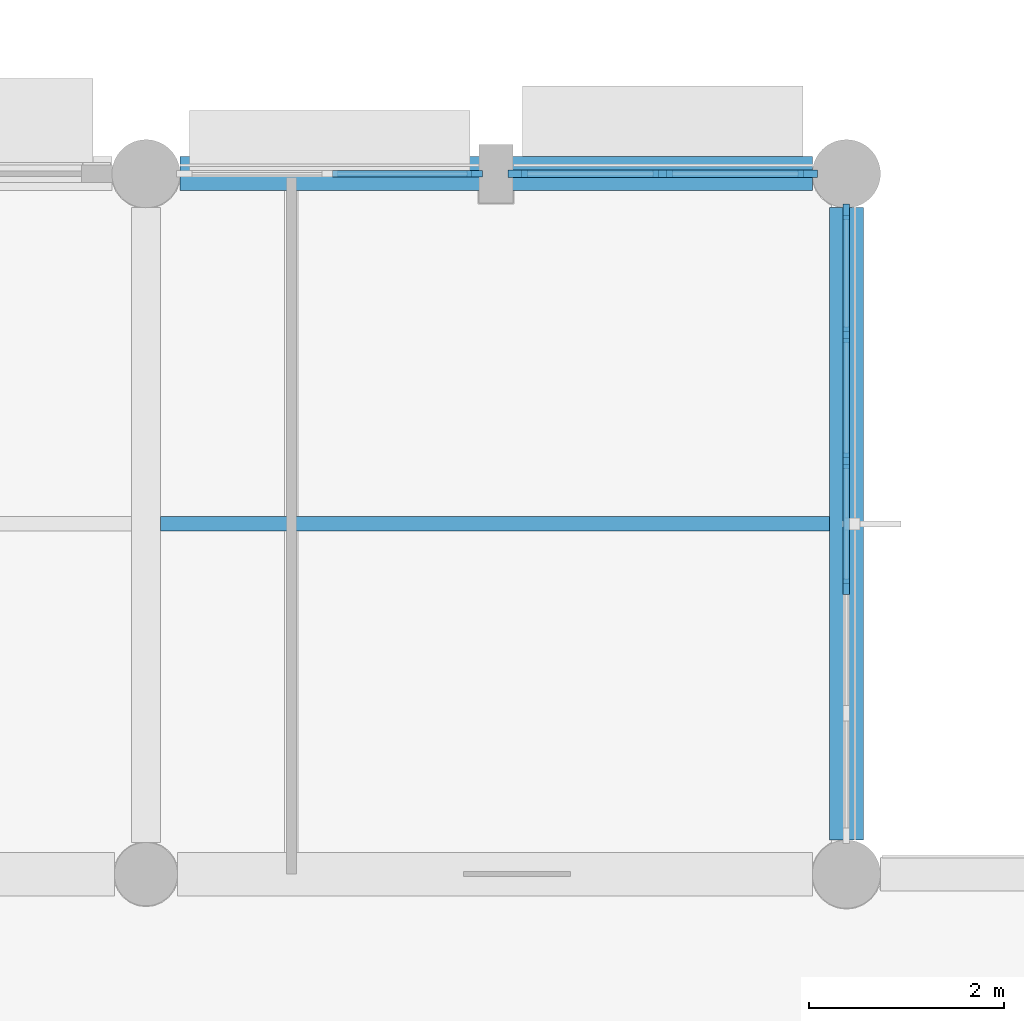
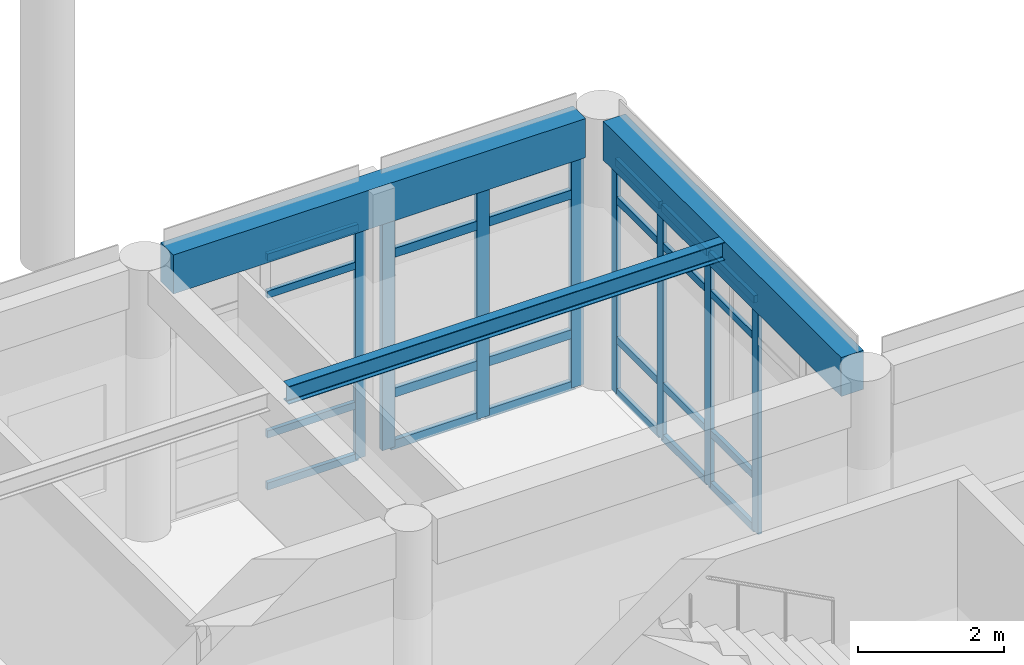
# One storey, part 28 of 92: 32 members, 3 beams, 3 elements without a shape of their own.
"""IFC4 building model written with IfcOpenShell, lengths in metres."""

from ifc_helpers import new_model, si_unit, direction, frame, origin, origin_2d, place, context, subcontext, project, spatial, rectangle, i_section, extrude, material, layer, layer_set, material_profile, profile_set, type_object, element, aggregate, save


model = new_model("IFC4")

# Units and contexts
model_context = context("Model", 3, precision=1e-05, world=origin(), true_north=direction((0.0, 1.0)))
body_context = subcontext(model_context, "Body", "Model", "MODEL_VIEW")
ifc_project = project(units=[si_unit("LENGTHUNIT", "METRE"), si_unit("AREAUNIT", "SQUARE_METRE"), si_unit("VOLUMEUNIT", "CUBIC_METRE"), si_unit("PLANEANGLEUNIT", "RADIAN"), si_unit("MASSUNIT", "GRAM", prefix="KILO")], contexts=[model_context])

# Site, building, storey
site_placement = place(None, origin())
site = spatial("IfcSite", under=ifc_project, at=site_placement, CompositionType="ELEMENT")
building_placement = place(site_placement, origin())
building = spatial("IfcBuilding", under=site, at=building_placement, Name="Namkhue Oval Health Centre", CompositionType="ELEMENT")
storey_placement = place(building_placement, frame((0.0, 0.0, 4.800048828125)))
storey = spatial("IfcBuildingStorey", under=building, at=storey_placement, Name="L01", CompositionType="ELEMENT", Elevation=4.800048828125)

# Curtain wall, members
ifc_material_1 = material(Name="Anodised aluminium EN AW-6063 T6", Category="aluminium")
ifc_layer_1 = layer(ifc_material_1, 0.159912109375)
ifc_layer_set_1 = layer_set([ifc_layer_1], Name="Anodised aluminium EN AW-6063 T6")
curtain_wall_type_1 = type_object("IfcCurtainWallType", Name="UNITISED CURTAIN WALL M1200", PredefinedType="NOTDEFINED", material=ifc_layer_set_1)
curtain_wall_1_placement = place(storey_placement, origin())
curtain_wall_1 = element("IfcCurtainWall", 1, at=curtain_wall_1_placement, inside=storey, type_object=curtain_wall_type_1, Name="Volume V3 L01 Unitised Curtain Wall 103", PredefinedType="NOTDEFINED")
ifc_material_profile_1 = material_profile(ifc_material_1, rectangle(XDim=0.06494140625, YDim=0.159912109375, at=origin_2d()), Name="ALU 65x160")
ifc_profile_set_1 = profile_set([ifc_material_profile_1], Name="Anodised aluminium EN AW-6063 T6")
member_type_1 = type_object("IfcMemberType", Name="CURTAIN WALL MULLION 65X160", PredefinedType="MULLION", material=ifc_profile_set_1)
member_1_placement = place(storey_placement, frame((122.39990234375, 100.152099609375, 0.0), z_axis=(0.0, 0.0, 1.0), x_axis=(-1.0, 0.0, 0.0)))
member_1 = element("IfcMember", 2, at=member_1_placement, type_object=member_type_1, Name="CW-01 mullion 3", PredefinedType="MULLION", context=body_context, shape_type="SweptSolid", body=[
    extrude(rectangle(XDim=0.06494140625, YDim=0.159912109375, at=origin_2d()), origin(), (0.0, 0.0, 1.0), 3.8798828125),
])
member_2_placement = place(storey_placement, frame((122.39990234375, 101.447998046875, 0.0), z_axis=(0.0, 0.0, 1.0), x_axis=(-1.0, 0.0, 0.0)))
member_2 = element("IfcMember", 3, at=member_2_placement, type_object=member_type_1, Name="CW-01 mullion 4", PredefinedType="MULLION", context=body_context, shape_type="SweptSolid", body=[
    extrude(rectangle(XDim=0.06494140625, YDim=0.159912109375, at=origin_2d()), origin(), (0.0, 0.0, 1.0), 3.8798828125),
])
member_3_placement = place(storey_placement, frame((122.39990234375, 102.743896484375, 0.0), z_axis=(0.0, 0.0, 1.0), x_axis=(-1.0, 0.0, 0.0)))
member_3 = element("IfcMember", 4, at=member_3_placement, type_object=member_type_1, Name="CW-01 mullion 5", PredefinedType="MULLION", context=body_context, shape_type="SweptSolid", body=[
    extrude(rectangle(XDim=0.06494140625, YDim=0.159912109375, at=origin_2d()), origin(), (0.0, 0.0, 1.0), 3.8798828125),
])
member_4_placement = place(storey_placement, frame((122.39990234375, 104.007568359375, 0.0), z_axis=(0.0, 0.0, 1.0), x_axis=(-1.0, 0.0, 0.0)))
member_4 = element("IfcMember", 5, at=member_4_placement, type_object=member_type_1, Name="CW-01 mullion 6", PredefinedType="MULLION", context=body_context, shape_type="SweptSolid", body=[
    extrude(rectangle(XDim=0.06494140625, YDim=0.159912109375, at=origin_2d()), origin(), (0.0, 0.0, 1.0), 3.8798828125),
])

# Curtain wall, member
ifc_layer_2 = layer(ifc_material_1, 0.159912109375)
ifc_layer_set_2 = layer_set([ifc_layer_2], Name="Anodised aluminium EN AW-6063 T6")
curtain_wall_type_2 = type_object("IfcCurtainWallType", Name="UNITISED CURTAIN WALL M1500", PredefinedType="NOTDEFINED", material=ifc_layer_set_2)
curtain_wall_2_placement = place(storey_placement, origin())
curtain_wall_2 = element("IfcCurtainWall", 6, at=curtain_wall_2_placement, inside=storey, type_object=curtain_wall_type_2, Name="Volume V3 L01 Unitised Curtain Wall 105", PredefinedType="NOTDEFINED")
member_5_placement = place(storey_placement, frame((118.58154296875, 104.39990234375, 0.0), z_axis=(0.0, 0.0, 1.0), x_axis=(0.0, -1.0, 0.0)))
member_5 = element("IfcMember", 7, at=member_5_placement, type_object=member_type_1, Name="CW-03 mullion 1", PredefinedType="MULLION", context=body_context, shape_type="SweptSolid", body=[
    extrude(rectangle(XDim=0.06494140625, YDim=0.159912109375, at=origin_2d()), origin(), (0.0, 0.0, 1.0), 3.8798828125),
])

# Curtain wall, members
ifc_layer_3 = layer(ifc_material_1, 0.159912109375)
ifc_layer_set_3 = layer_set([ifc_layer_3], Name="Anodised aluminium EN AW-6063 T6")
curtain_wall_type_3 = type_object("IfcCurtainWallType", Name="UNITISED CURTAIN WALL M1350", PredefinedType="NOTDEFINED", material=ifc_layer_set_3)
curtain_wall_3_placement = place(storey_placement, origin())
curtain_wall_3 = element("IfcCurtainWall", 8, at=curtain_wall_3_placement, inside=storey, type_object=curtain_wall_type_3, Name="Volume V3 L01 Unitised Curtain Wall 104", PredefinedType="NOTDEFINED")
ifc_material_profile_2 = material_profile(ifc_material_1, rectangle(XDim=0.074951171875, YDim=0.199951171875, at=origin_2d()), Name="ALU 75x200")
ifc_profile_set_2 = profile_set([ifc_material_profile_2], Name="Anodised aluminium EN AW-6063 T6")
member_type_2 = type_object("IfcMemberType", Name="CURTAIN WALL MULLION 75X200", PredefinedType="MULLION", material=ifc_profile_set_2)
member_6_placement = place(storey_placement, frame((122.00244140625, 104.39990234375, 0.0), z_axis=(0.0, 0.0, 1.0), x_axis=(0.0, -1.0, 0.0)))
member_6 = element("IfcMember", 9, at=member_6_placement, type_object=member_type_2, Name="CW-02 mullion 1", PredefinedType="MULLION", context=body_context, shape_type="SweptSolid", body=[
    extrude(rectangle(XDim=0.074951171875, YDim=0.199951171875, at=origin_2d()), origin(), (0.0, 0.0, 1.0), 3.8798828125),
])
member_7_placement = place(storey_placement, frame((120.512939453125, 104.39990234375, 0.0), z_axis=(0.0, 0.0, 1.0), x_axis=(0.0, -1.0, 0.0)))
member_7 = element("IfcMember", 10, at=member_7_placement, type_object=member_type_2, Name="CW-02 mullion 2", PredefinedType="MULLION", context=body_context, shape_type="SweptSolid", body=[
    extrude(rectangle(XDim=0.074951171875, YDim=0.199951171875, at=origin_2d()), origin(), (0.0, 0.0, 1.0), 3.8798828125),
])
member_8_placement = place(storey_placement, frame((119.0234375, 104.39990234375, 0.0), z_axis=(0.0, 0.0, 1.0), x_axis=(0.0, -1.0, 0.0)))
member_8 = element("IfcMember", 11, at=member_8_placement, type_object=member_type_2, Name="CW-02 mullion 3", PredefinedType="MULLION", context=body_context, shape_type="SweptSolid", body=[
    extrude(rectangle(XDim=0.074951171875, YDim=0.199951171875, at=origin_2d()), origin(), (0.0, 0.0, 1.0), 3.8798828125),
])

# Member
ifc_material_profile_3 = material_profile(ifc_material_1, rectangle(XDim=0.06494140625, YDim=0.1201171875, at=origin_2d()), Name="ALU 65x120")
ifc_profile_set_3 = profile_set([ifc_material_profile_3], Name="Anodised aluminium EN AW-6063 T6")
member_type_3 = type_object("IfcMemberType", Name="CURTAIN WALL TRANSOM 65X120", PredefinedType="USERDEFINED", material=ifc_profile_set_3)
member_9_placement = place(storey_placement, frame((122.39990234375, 100.1845703125, 0.032470703125), z_axis=(0.0, 1.0, 0.0), x_axis=(-1.0, 0.0, 0.0)))
member_9 = element("IfcMember", 12, at=member_9_placement, type_object=member_type_3, Name="CW-01 transom 3.1", ObjectType="TRANSOM", PredefinedType="USERDEFINED", context=body_context, shape_type="SweptSolid", body=[
    extrude(rectangle(XDim=0.06494140625, YDim=0.1201171875, at=origin_2d()), origin(), (0.0, 0.0, 1.0), 1.23095703125),
])

member_10_placement = place(storey_placement, frame((122.39990234375, 100.1845703125, 0.89990234375), z_axis=(0.0, 1.0, 0.0), x_axis=(-1.0, 0.0, 0.0)))
member_10 = element("IfcMember", 13, at=member_10_placement, type_object=member_type_3, Name="CW-01 transom 3.2", ObjectType="TRANSOM", PredefinedType="USERDEFINED", context=body_context, shape_type="SweptSolid", body=[
    extrude(rectangle(XDim=0.06494140625, YDim=0.1201171875, at=origin_2d()), origin(), (0.0, 0.0, 1.0), 1.23095703125),
])

member_11_placement = place(storey_placement, frame((122.39990234375, 100.1845703125, 3.22998046875), z_axis=(0.0, 1.0, 0.0), x_axis=(-1.0, 0.0, 0.0)))
member_11 = element("IfcMember", 14, at=member_11_placement, type_object=member_type_3, Name="CW-01 transom 3.3", ObjectType="TRANSOM", PredefinedType="USERDEFINED", context=body_context, shape_type="SweptSolid", body=[
    extrude(rectangle(XDim=0.06494140625, YDim=0.1201171875, at=origin_2d()), origin(), (0.0, 0.0, 1.0), 1.23095703125),
])

member_12_placement = place(storey_placement, frame((122.39990234375, 100.1845703125, 3.847412109375), z_axis=(0.0, 1.0, 0.0), x_axis=(-1.0, 0.0, 0.0)))
member_12 = element("IfcMember", 15, at=member_12_placement, type_object=member_type_3, Name="CW-01 transom 3.4", ObjectType="TRANSOM", PredefinedType="USERDEFINED", context=body_context, shape_type="SweptSolid", body=[
    extrude(rectangle(XDim=0.06494140625, YDim=0.1201171875, at=origin_2d()), origin(), (0.0, 0.0, 1.0), 1.23095703125),
])

member_13_placement = place(storey_placement, frame((122.39990234375, 101.48046875, 0.032470703125), z_axis=(0.0, 1.0, 0.0), x_axis=(-1.0, 0.0, 0.0)))
member_13 = element("IfcMember", 16, at=member_13_placement, type_object=member_type_3, Name="CW-01 transom 4.1", ObjectType="TRANSOM", PredefinedType="USERDEFINED", context=body_context, shape_type="SweptSolid", body=[
    extrude(rectangle(XDim=0.06494140625, YDim=0.1201171875, at=origin_2d()), origin(), (0.0, 0.0, 1.0), 1.23095703125),
])

member_14_placement = place(storey_placement, frame((122.39990234375, 101.48046875, 0.89990234375), z_axis=(0.0, 1.0, 0.0), x_axis=(-1.0, 0.0, 0.0)))
member_14 = element("IfcMember", 17, at=member_14_placement, type_object=member_type_3, Name="CW-01 transom 4.2", ObjectType="TRANSOM", PredefinedType="USERDEFINED", context=body_context, shape_type="SweptSolid", body=[
    extrude(rectangle(XDim=0.06494140625, YDim=0.1201171875, at=origin_2d()), origin(), (0.0, 0.0, 1.0), 1.23095703125),
])

member_15_placement = place(storey_placement, frame((122.39990234375, 101.48046875, 3.22998046875), z_axis=(0.0, 1.0, 0.0), x_axis=(-1.0, 0.0, 0.0)))
member_15 = element("IfcMember", 18, at=member_15_placement, type_object=member_type_3, Name="CW-01 transom 4.3", ObjectType="TRANSOM", PredefinedType="USERDEFINED", context=body_context, shape_type="SweptSolid", body=[
    extrude(rectangle(XDim=0.06494140625, YDim=0.1201171875, at=origin_2d()), origin(), (0.0, 0.0, 1.0), 1.23095703125),
])

member_16_placement = place(storey_placement, frame((122.39990234375, 101.48046875, 3.847412109375), z_axis=(0.0, 1.0, 0.0), x_axis=(-1.0, 0.0, 0.0)))
member_16 = element("IfcMember", 19, at=member_16_placement, type_object=member_type_3, Name="CW-01 transom 4.4", ObjectType="TRANSOM", PredefinedType="USERDEFINED", context=body_context, shape_type="SweptSolid", body=[
    extrude(rectangle(XDim=0.06494140625, YDim=0.1201171875, at=origin_2d()), origin(), (0.0, 0.0, 1.0), 1.23095703125),
])

member_17_placement = place(storey_placement, frame((122.39990234375, 102.776611328125, 0.032470703125), z_axis=(0.0, 1.0, 0.0), x_axis=(-1.0, 0.0, 0.0)))
member_17 = element("IfcMember", 20, at=member_17_placement, type_object=member_type_3, Name="CW-01 transom 5.1", ObjectType="TRANSOM", PredefinedType="USERDEFINED", context=body_context, shape_type="SweptSolid", body=[
    extrude(rectangle(XDim=0.06494140625, YDim=0.1201171875, at=origin_2d()), origin(), (0.0, 0.0, 1.0), 1.198486328125),
])

member_18_placement = place(storey_placement, frame((122.39990234375, 102.776611328125, 0.89990234375), z_axis=(0.0, 1.0, 0.0), x_axis=(-1.0, 0.0, 0.0)))
member_18 = element("IfcMember", 21, at=member_18_placement, type_object=member_type_3, Name="CW-01 transom 5.2", ObjectType="TRANSOM", PredefinedType="USERDEFINED", context=body_context, shape_type="SweptSolid", body=[
    extrude(rectangle(XDim=0.06494140625, YDim=0.1201171875, at=origin_2d()), origin(), (0.0, 0.0, 1.0), 1.198486328125),
])

member_19_placement = place(storey_placement, frame((122.39990234375, 102.776611328125, 3.22998046875), z_axis=(0.0, 1.0, 0.0), x_axis=(-1.0, 0.0, 0.0)))
member_19 = element("IfcMember", 22, at=member_19_placement, type_object=member_type_3, Name="CW-01 transom 5.3", ObjectType="TRANSOM", PredefinedType="USERDEFINED", context=body_context, shape_type="SweptSolid", body=[
    extrude(rectangle(XDim=0.06494140625, YDim=0.1201171875, at=origin_2d()), origin(), (0.0, 0.0, 1.0), 1.198486328125),
])

member_20_placement = place(storey_placement, frame((122.39990234375, 102.776611328125, 3.847412109375), z_axis=(0.0, 1.0, 0.0), x_axis=(-1.0, 0.0, 0.0)))
member_20 = element("IfcMember", 23, at=member_20_placement, type_object=member_type_3, Name="CW-01 transom 5.4", ObjectType="TRANSOM", PredefinedType="USERDEFINED", context=body_context, shape_type="SweptSolid", body=[
    extrude(rectangle(XDim=0.06494140625, YDim=0.1201171875, at=origin_2d()), origin(), (0.0, 0.0, 1.0), 1.198486328125),
])

aggregate(curtain_wall_1, [member_1, member_2, member_3, member_4, member_9, member_10, member_11, member_12, member_13, member_14, member_15, member_16, member_17, member_18, member_19, member_20])

member_21_placement = place(storey_placement, frame((118.549072265625, 104.39990234375, 0.032470703125), z_axis=(-1.0, 0.0, 0.0), x_axis=(0.0, -1.0, 0.0)))
member_21 = element("IfcMember", 24, at=member_21_placement, type_object=member_type_3, Name="CW-03 transom 1.1", ObjectType="TRANSOM", PredefinedType="USERDEFINED", context=body_context, shape_type="SweptSolid", body=[
    extrude(rectangle(XDim=0.06494140625, YDim=0.1201171875, at=origin_2d()), origin(), (0.0, 0.0, 1.0), 1.4296875),
])

member_22_placement = place(storey_placement, frame((118.549072265625, 104.39990234375, 0.89990234375), z_axis=(-1.0, 0.0, 0.0), x_axis=(0.0, -1.0, 0.0)))
member_22 = element("IfcMember", 25, at=member_22_placement, type_object=member_type_3, Name="CW-03 transom 1.2", ObjectType="TRANSOM", PredefinedType="USERDEFINED", context=body_context, shape_type="SweptSolid", body=[
    extrude(rectangle(XDim=0.06494140625, YDim=0.1201171875, at=origin_2d()), origin(), (0.0, 0.0, 1.0), 1.4296875),
])

member_23_placement = place(storey_placement, frame((118.549072265625, 104.39990234375, 3.22998046875), z_axis=(-1.0, 0.0, 0.0), x_axis=(0.0, -1.0, 0.0)))
member_23 = element("IfcMember", 26, at=member_23_placement, type_object=member_type_3, Name="CW-03 transom 1.3", ObjectType="TRANSOM", PredefinedType="USERDEFINED", context=body_context, shape_type="SweptSolid", body=[
    extrude(rectangle(XDim=0.06494140625, YDim=0.1201171875, at=origin_2d()), origin(), (0.0, 0.0, 1.0), 1.4296875),
])

member_24_placement = place(storey_placement, frame((118.549072265625, 104.39990234375, 3.847412109375), z_axis=(-1.0, 0.0, 0.0), x_axis=(0.0, -1.0, 0.0)))
member_24 = element("IfcMember", 27, at=member_24_placement, type_object=member_type_3, Name="CW-03 transom 1.4", ObjectType="TRANSOM", PredefinedType="USERDEFINED", context=body_context, shape_type="SweptSolid", body=[
    extrude(rectangle(XDim=0.06494140625, YDim=0.1201171875, at=origin_2d()), origin(), (0.0, 0.0, 1.0), 1.4296875),
])

aggregate(curtain_wall_2, [member_5, member_21, member_22, member_23, member_24])

ifc_material_profile_4 = material_profile(ifc_material_1, rectangle(XDim=0.074951171875, YDim=0.14990234375, at=origin_2d()), Name="ALU 75x150")
ifc_profile_set_4 = profile_set([ifc_material_profile_4], Name="Anodised aluminium EN AW-6063 T6")
member_type_4 = type_object("IfcMemberType", Name="CURTAIN WALL TRANSOM 75X150", PredefinedType="USERDEFINED", material=ifc_profile_set_4)
member_25_placement = place(storey_placement, frame((121.965087890625, 104.39990234375, 0.037353515625), z_axis=(-1.0, 0.0, 0.0), x_axis=(0.0, -1.0, 0.0)))
member_25 = element("IfcMember", 28, at=member_25_placement, type_object=member_type_4, Name="CW-02 transom 1.1", ObjectType="TRANSOM", PredefinedType="USERDEFINED", context=body_context, shape_type="SweptSolid", body=[
    extrude(rectangle(XDim=0.074951171875, YDim=0.14990234375, at=origin_2d()), origin(), (0.0, 0.0, 1.0), 1.41455078125),
])

member_26_placement = place(storey_placement, frame((121.965087890625, 104.39990234375, 0.89990234375), z_axis=(-1.0, 0.0, 0.0), x_axis=(0.0, -1.0, 0.0)))
member_26 = element("IfcMember", 29, at=member_26_placement, type_object=member_type_4, Name="CW-02 transom 1.2", ObjectType="TRANSOM", PredefinedType="USERDEFINED", context=body_context, shape_type="SweptSolid", body=[
    extrude(rectangle(XDim=0.074951171875, YDim=0.14990234375, at=origin_2d()), origin(), (0.0, 0.0, 1.0), 1.41455078125),
])

member_27_placement = place(storey_placement, frame((121.965087890625, 104.39990234375, 3.22998046875), z_axis=(-1.0, 0.0, 0.0), x_axis=(0.0, -1.0, 0.0)))
member_27 = element("IfcMember", 30, at=member_27_placement, type_object=member_type_4, Name="CW-02 transom 1.3", ObjectType="TRANSOM", PredefinedType="USERDEFINED", context=body_context, shape_type="SweptSolid", body=[
    extrude(rectangle(XDim=0.074951171875, YDim=0.14990234375, at=origin_2d()), origin(), (0.0, 0.0, 1.0), 1.41455078125),
])

member_28_placement = place(storey_placement, frame((121.965087890625, 104.39990234375, 3.842529296875), z_axis=(-1.0, 0.0, 0.0), x_axis=(0.0, -1.0, 0.0)))
member_28 = element("IfcMember", 31, at=member_28_placement, type_object=member_type_4, Name="CW-02 transom 1.4", ObjectType="TRANSOM", PredefinedType="USERDEFINED", context=body_context, shape_type="SweptSolid", body=[
    extrude(rectangle(XDim=0.074951171875, YDim=0.14990234375, at=origin_2d()), origin(), (0.0, 0.0, 1.0), 1.41455078125),
])

member_29_placement = place(storey_placement, frame((120.4755859375, 104.39990234375, 0.037353515625), z_axis=(-1.0, 0.0, 0.0), x_axis=(0.0, -1.0, 0.0)))
member_29 = element("IfcMember", 32, at=member_29_placement, type_object=member_type_4, Name="CW-02 transom 2.1", ObjectType="TRANSOM", PredefinedType="USERDEFINED", context=body_context, shape_type="SweptSolid", body=[
    extrude(rectangle(XDim=0.074951171875, YDim=0.14990234375, at=origin_2d()), origin(), (0.0, 0.0, 1.0), 1.41455078125),
])

member_30_placement = place(storey_placement, frame((120.4755859375, 104.39990234375, 0.89990234375), z_axis=(-1.0, 0.0, 0.0), x_axis=(0.0, -1.0, 0.0)))
member_30 = element("IfcMember", 33, at=member_30_placement, type_object=member_type_4, Name="CW-02 transom 2.2", ObjectType="TRANSOM", PredefinedType="USERDEFINED", context=body_context, shape_type="SweptSolid", body=[
    extrude(rectangle(XDim=0.074951171875, YDim=0.14990234375, at=origin_2d()), origin(), (0.0, 0.0, 1.0), 1.41455078125),
])

member_31_placement = place(storey_placement, frame((120.4755859375, 104.39990234375, 3.22998046875), z_axis=(-1.0, 0.0, 0.0), x_axis=(0.0, -1.0, 0.0)))
member_31 = element("IfcMember", 34, at=member_31_placement, type_object=member_type_4, Name="CW-02 transom 2.3", ObjectType="TRANSOM", PredefinedType="USERDEFINED", context=body_context, shape_type="SweptSolid", body=[
    extrude(rectangle(XDim=0.074951171875, YDim=0.14990234375, at=origin_2d()), origin(), (0.0, 0.0, 1.0), 1.41455078125),
])

member_32_placement = place(storey_placement, frame((120.4755859375, 104.39990234375, 3.842529296875), z_axis=(-1.0, 0.0, 0.0), x_axis=(0.0, -1.0, 0.0)))
member_32 = element("IfcMember", 35, at=member_32_placement, type_object=member_type_4, Name="CW-02 transom 2.4", ObjectType="TRANSOM", PredefinedType="USERDEFINED", context=body_context, shape_type="SweptSolid", body=[
    extrude(rectangle(XDim=0.074951171875, YDim=0.14990234375, at=origin_2d()), origin(), (0.0, 0.0, 1.0), 1.41455078125),
])

aggregate(curtain_wall_3, [member_6, member_7, member_8, member_25, member_26, member_27, member_28, member_29, member_30, member_31, member_32])

# Beams
ifc_material_2 = material(Name="Reinforced concrete C35/45 (TCVN B40)", Category="concrete")
ifc_material_profile_5 = material_profile(ifc_material_2, rectangle(XDim=0.35009765625, YDim=0.64990234375, at=origin_2d()), Name="RC 350x650")
ifc_profile_set_5 = profile_set([ifc_material_profile_5], Name="Reinforced concrete C35/45 (TCVN B40)")
beam_type_1 = type_object("IfcBeamType", Name="PERIMETER SPANDREL BEAM 350X650", PredefinedType="SPANDREL", material=ifc_profile_set_5)
for number, where, z_axis, x_axis, name in (
    (36, (115.550048828125, 104.39990234375, 4.204833984375), (1.0, 0.0, 0.0), (0.0, 1.0, 0.0), "Volume V3 L02 Girder P/17-18"),
    (37, (122.39990234375, 97.550048828125, 4.204833984375), (0.0, 1.0, 0.0), (-1.0, 0.0, 0.0), "Volume V3 L02 Beam 18/O-P"),
):
    element("IfcBeam", number, at=place(storey_placement, frame(where, z_axis=z_axis, x_axis=x_axis)), inside=storey, type_object=beam_type_1, Name=name, PredefinedType="SPANDREL", context=body_context, shape_type="SweptSolid", body=[
        extrude(rectangle(XDim=0.35009765625, YDim=0.64990234375, at=origin_2d()), origin(), (0.0, 0.0, 1.0), 6.5),
    ])
ifc_material_3 = material(Name="Structural steel EN 10025-2 S355JR (TCVN 5575:2024)", Category="steel")
ifc_material_profile_6 = material_profile(ifc_material_3, i_section(OverallWidth=0.14990234375, OverallDepth=0.300048828125, WebThickness=0.007080078125, FlangeThickness=0.0107421875, FilletRadius=0.014892578125, at=origin_2d()), Name="IPE 300")
ifc_profile_set_6 = profile_set([ifc_material_profile_6], Name="Structural steel EN 10025-2 S355JR (TCVN 5575:2024)")
beam_type_2 = type_object("IfcBeamType", Name="SECONDARY JOIST STEEL IPE 300", PredefinedType="JOIST", material=ifc_profile_set_6)
beam_placement = place(storey_placement, frame((115.35009765625, 100.800048828125, 4.3798828125), z_axis=(1.0, 0.0, 0.0), x_axis=(0.0, 1.0, 0.0)))
element("IfcBeam", 38, at=beam_placement, inside=storey, type_object=beam_type_2, Name="Volume V3 L02 Secondary Joist 17-18", PredefinedType="JOIST", context=body_context, shape_type="SweptSolid", body=[
    extrude(i_section(OverallWidth=0.14990234375, OverallDepth=0.300048828125, WebThickness=0.007080078125, FlangeThickness=0.0107421875, FilletRadius=0.014892578125, at=origin_2d()), origin(), (0.0, 0.0, 1.0), 6.875),
])

save(model, "model.ifc")
